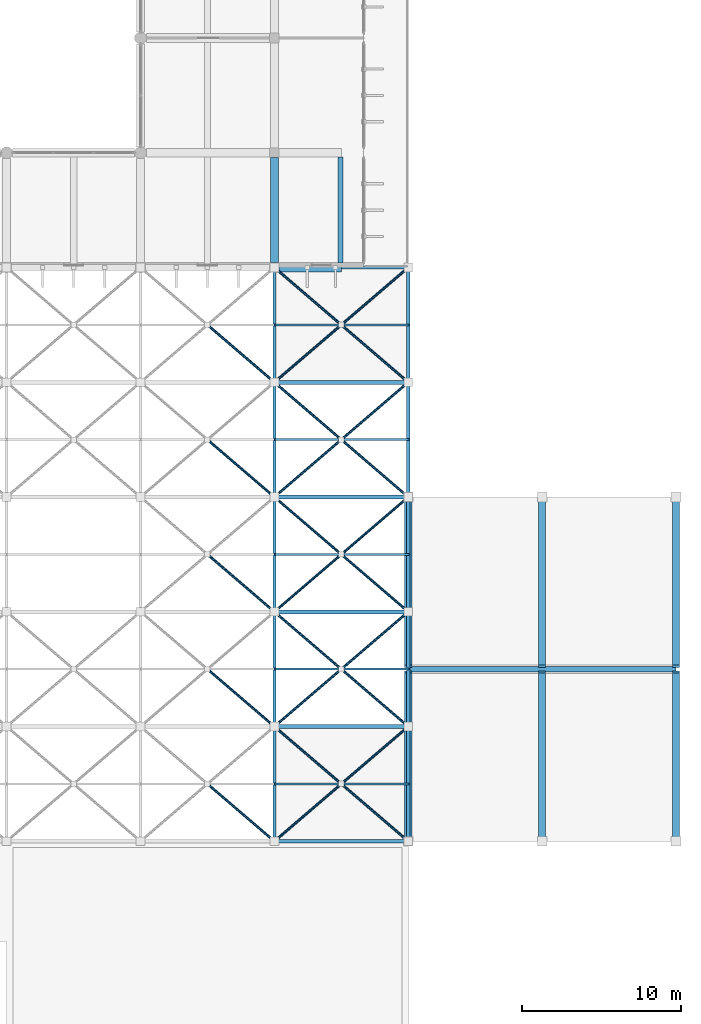
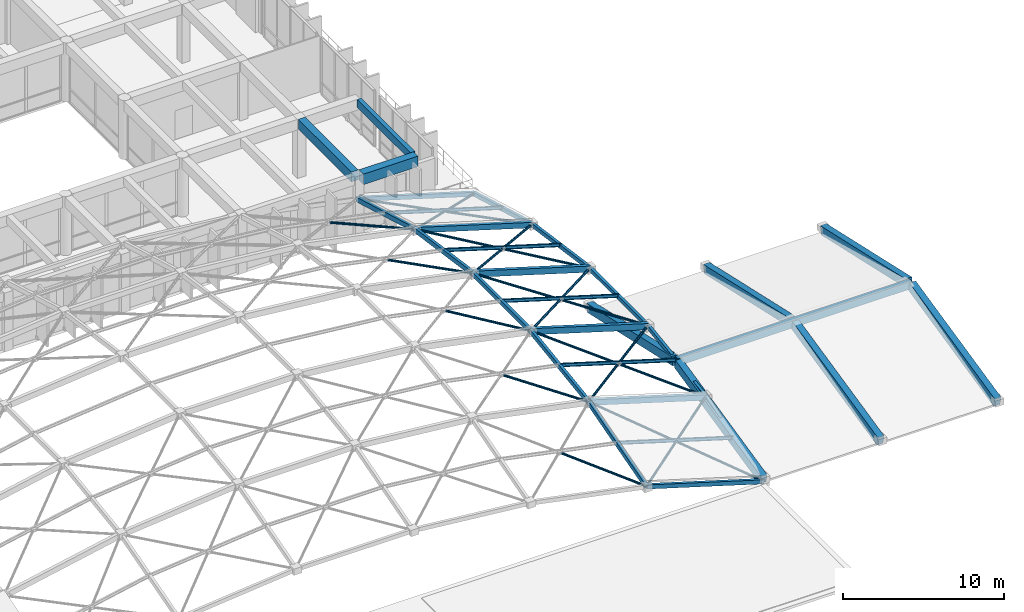
# One storey, part 8 of 23: 41 members, 10 beams.
"""IFC4 building model written with IfcOpenShell, lengths in metres."""

from ifc_helpers import new_model, si_unit, direction, frame, origin, origin_2d, place, context, subcontext, project, spatial, rectangle, hollow_rectangle, hollow_circle, i_section, extrude, material, material_profile, profile_set, type_object, element, save


model = new_model("IFC4")

# Units and contexts
model_context = context("Model", 3, precision=1e-05, world=origin(), true_north=direction((0.0, 1.0)))
body_context = subcontext(model_context, "Body", "Model", "MODEL_VIEW")
ifc_project = project(units=[si_unit("LENGTHUNIT", "METRE"), si_unit("AREAUNIT", "SQUARE_METRE"), si_unit("VOLUMEUNIT", "CUBIC_METRE"), si_unit("PLANEANGLEUNIT", "RADIAN"), si_unit("MASSUNIT", "GRAM", prefix="KILO")], contexts=[model_context])

# Site, building, storey
site_placement = place(None, origin())
site = spatial("IfcSite", under=ifc_project, at=site_placement, CompositionType="ELEMENT")
building_placement = place(site_placement, origin())
building = spatial("IfcBuilding", under=site, at=building_placement, Name="Kenerak Square Central Library", CompositionType="ELEMENT")
storey_placement = place(building_placement, frame((0.0, 0.0, 18.8798828125)))
storey = spatial("IfcBuildingStorey", under=building, at=storey_placement, Name="L04", CompositionType="ELEMENT", Elevation=18.8798828125)

# Beam
ifc_material_1 = material(Name="Concrete C40/50", Category="concrete")
ifc_material_profile_1 = material_profile(ifc_material_1, rectangle(XDim=0.300048828125, YDim=0.60009765625, at=origin_2d()), Name="RC 300x600")
ifc_profile_set_1 = profile_set([ifc_material_profile_1], Name="Concrete C40/50")
beam_type_1 = type_object("IfcBeamType", Name="Courtyard Spandrel Beam SP-02 RC 300x600 C40/50", PredefinedType="SPANDREL", material=ifc_profile_set_1)
beam_1_placement = place(storey_placement, frame((112.949951171875, 53.074951171875, 4.18017578125), z_axis=(0.0, 1.0, 0.0), x_axis=(-1.0, 0.0, 0.0)))
element("IfcBeam", 1, at=beam_1_placement, inside=storey, type_object=beam_type_1, Name="Terrace Edge Spandrel SP-02 L04 SBE-53", PredefinedType="SPANDREL", context=body_context, shape_type="SweptSolid", body=[
    extrude(rectangle(XDim=0.300048828125, YDim=0.60009765625, at=origin_2d()), origin(), (0.0, 0.0, 1.0), 6.650146484375),
])

# Members
ifc_material_2 = material(Name="Steel S355", Category="steel")
ifc_material_profile_2 = material_profile(ifc_material_2, hollow_rectangle(XDim=0.25, YDim=0.449951171875, WallThickness=0.01611328125, at=origin_2d()), Name="RHS 450x250x16.0")
ifc_profile_set_2 = profile_set([ifc_material_profile_2], Name="Steel S355")
member_type_1 = type_object("IfcMemberType", Name="Gridshell Arch Chord GM-01 RHS 450x250x16 S355", PredefinedType="CHORD", material=ifc_profile_set_2)
for number, where, z_axis, x_axis, name in (
    (2, (108.800048828125, 31.199951171875, 5.619140625), (0.956970818539, 0.0, -0.290184169907), (0.0, 1.0, 0.0), "Gridshell Arch Chord 0021"),
    (3, (108.800048828125, 38.39990234375, 5.619140625), (0.956970818539, 0.0, -0.290184169907), (0.0, 1.0, 0.0), "Gridshell Arch Chord 0028"),
):
    element("IfcMember", number, at=place(storey_placement, frame(where, z_axis=z_axis, x_axis=x_axis)), inside=storey, type_object=member_type_1, Name=name, PredefinedType="CHORD", context=body_context, shape_type="SweptSolid", body=[
        extrude(hollow_rectangle(XDim=0.25, YDim=0.449951171875, WallThickness=0.01611328125, at=origin_2d()), origin(), (0.0, 0.0, 1.0), 8.777587890625),
    ])
ifc_material_profile_3 = material_profile(ifc_material_2, hollow_rectangle(XDim=0.25, YDim=0.39990234375, WallThickness=0.012451171875, at=origin_2d()), Name="RHS 400x250x12.5")
ifc_profile_set_3 = profile_set([ifc_material_profile_3], Name="Steel S355")
member_type_2 = type_object("IfcMemberType", Name="Gridshell Arch Rib GM-02 RHS 400x250x12.5 S355", PredefinedType="CHORD", material=ifc_profile_set_3)
for number, where, z_axis, x_axis, name in (
    (4, (108.800048828125, 24.0, 4.594970703125), (0.956978542167, 0.0, -0.290158697666), (0.0, 1.0, 0.0), "Gridshell Arch Chord 0014"),
    (5, (108.800048828125, 45.60009765625, 4.594970703125), (0.956978542167, 0.0, -0.290158697666), (0.0, 1.0, 0.0), "Gridshell Arch Chord 0035"),
):
    element("IfcMember", number, at=place(storey_placement, frame(where, z_axis=z_axis, x_axis=x_axis)), inside=storey, type_object=member_type_2, Name=name, PredefinedType="CHORD", context=body_context, shape_type="SweptSolid", body=[
        extrude(hollow_rectangle(XDim=0.25, YDim=0.39990234375, WallThickness=0.012451171875, at=origin_2d()), origin(), (0.0, 0.0, 1.0), 8.777587890625),
    ])
ifc_material_profile_4 = material_profile(ifc_material_2, hollow_rectangle(XDim=0.199951171875, YDim=0.35009765625, WallThickness=0.012451171875, at=origin_2d()), Name="RHS 350x200x12.5")
ifc_profile_set_4 = profile_set([ifc_material_profile_4], Name="Steel S355")
member_type_3 = type_object("IfcMemberType", Name="Gridshell Cross Rib GM-03 RHS 350x200x12.5 S355", PredefinedType="RAFTER", material=ifc_profile_set_4)
member_1_placement = place(storey_placement, frame((108.800048828125, 16.800048828125, 2.547119140625), z_axis=(0.0, 0.96185064623, 0.273575098185), x_axis=(-1.0, 0.0, 0.0)))
element("IfcMember", 6, at=member_1_placement, inside=storey, type_object=member_type_3, Name="Gridshell Cross Rib 0073", PredefinedType="RAFTER", context=body_context, shape_type="SweptSolid", body=[
    extrude(hollow_rectangle(XDim=0.199951171875, YDim=0.35009765625, WallThickness=0.012451171875, at=origin_2d()), origin(), (0.0, 0.0, 1.0), 7.485595703125),
])
member_2_placement = place(storey_placement, frame((108.800048828125, 24.0, 4.594970703125), z_axis=(0.0, 0.990033914736, 0.140829143546), x_axis=(-1.0, 0.0, 0.0)))
element("IfcMember", 7, at=member_2_placement, inside=storey, type_object=member_type_3, Name="Gridshell Cross Rib 0074", PredefinedType="RAFTER", context=body_context, shape_type="SweptSolid", body=[
    extrude(hollow_rectangle(XDim=0.199951171875, YDim=0.35009765625, WallThickness=0.012451171875, at=origin_2d()), origin(), (0.0, 0.0, 1.0), 7.2724609375),
])
member_3_placement = place(storey_placement, frame((108.800048828125, 31.199951171875, 5.619140625), z_axis=(0.0, 1.0, 0.0), x_axis=(-1.0, 0.0, 0.0)))
element("IfcMember", 8, at=member_3_placement, inside=storey, type_object=member_type_3, Name="Gridshell Cross Rib 0075", PredefinedType="RAFTER", context=body_context, shape_type="SweptSolid", body=[
    extrude(hollow_rectangle(XDim=0.199951171875, YDim=0.35009765625, WallThickness=0.012451171875, at=origin_2d()), origin(), (0.0, 0.0, 1.0), 7.199951171875),
])
member_4_placement = place(storey_placement, frame((108.800048828125, 38.39990234375, 5.619140625), z_axis=(0.0, 0.990034580506, -0.140824463082), x_axis=(-1.0, 0.0, 0.0)))
element("IfcMember", 9, at=member_4_placement, inside=storey, type_object=member_type_3, Name="Gridshell Cross Rib 0076", PredefinedType="RAFTER", context=body_context, shape_type="SweptSolid", body=[
    extrude(hollow_rectangle(XDim=0.199951171875, YDim=0.35009765625, WallThickness=0.012451171875, at=origin_2d()), origin(), (0.0, 0.0, 1.0), 7.272705078125),
])
member_5_placement = place(storey_placement, frame((108.800048828125, 45.60009765625, 4.594970703125), z_axis=(0.0, 0.96185064623, -0.273575098185), x_axis=(-1.0, 0.0, 0.0)))
element("IfcMember", 10, at=member_5_placement, inside=storey, type_object=member_type_3, Name="Gridshell Cross Rib 0077", PredefinedType="RAFTER", context=body_context, shape_type="SweptSolid", body=[
    extrude(hollow_rectangle(XDim=0.199951171875, YDim=0.35009765625, WallThickness=0.012451171875, at=origin_2d()), origin(), (0.0, 0.0, 1.0), 7.485595703125),
])
ifc_material_profile_5 = material_profile(ifc_material_2, hollow_rectangle(XDim=0.199951171875, YDim=0.300048828125, WallThickness=0.010009765625, at=origin_2d()), Name="RHS 300x200x10.0")
ifc_profile_set_5 = profile_set([ifc_material_profile_5], Name="Steel S355")
member_type_4 = type_object("IfcMemberType", Name="Gridshell Edge Rib GM-04 RHS 300x200x10 S355", PredefinedType="RAFTER", material=ifc_profile_set_5)
for number, where, z_axis, x_axis, name in (
    (11, (108.800048828125, 16.800048828125, 2.547119140625), (0.956970818539, 0.0, -0.290184169907), (0.0, 1.0, 0.0), "Gridshell Arch Chord 0007"),
    (12, (108.800048828125, 52.800048828125, 2.547119140625), (0.956970818539, 0.0, -0.290184169907), (0.0, 1.0, 0.0), "Gridshell Arch Chord 0042"),
):
    element("IfcMember", number, at=place(storey_placement, frame(where, z_axis=z_axis, x_axis=x_axis)), inside=storey, type_object=member_type_4, Name=name, PredefinedType="RAFTER", context=body_context, shape_type="SweptSolid", body=[
        extrude(hollow_rectangle(XDim=0.199951171875, YDim=0.300048828125, WallThickness=0.010009765625, at=origin_2d()), origin(), (0.0, 0.0, 1.0), 8.777587890625),
    ])
member_6_placement = place(storey_placement, frame((117.199951171875, 16.800048828125, 0.0), z_axis=(0.0, 0.96184206356, 0.273605271819), x_axis=(-1.0, 0.0, 0.0)))
element("IfcMember", 13, at=member_6_placement, inside=storey, type_object=member_type_4, Name="Gridshell Cross Rib 0078", PredefinedType="RAFTER", context=body_context, shape_type="SweptSolid", body=[
    extrude(hollow_rectangle(XDim=0.199951171875, YDim=0.300048828125, WallThickness=0.010009765625, at=origin_2d()), origin(), (0.0, 0.0, 1.0), 7.485595703125),
])
member_7_placement = place(storey_placement, frame((117.199951171875, 24.0, 2.048095703125), z_axis=(0.0, 0.990038594829, 0.140796238402), x_axis=(-1.0, 0.0, 0.0)))
element("IfcMember", 14, at=member_7_placement, inside=storey, type_object=member_type_4, Name="Gridshell Cross Rib 0079", PredefinedType="RAFTER", context=body_context, shape_type="SweptSolid", body=[
    extrude(hollow_rectangle(XDim=0.199951171875, YDim=0.300048828125, WallThickness=0.010009765625, at=origin_2d()), origin(), (0.0, 0.0, 1.0), 7.2724609375),
])
member_8_placement = place(storey_placement, frame((117.199951171875, 31.199951171875, 3.072021484375), z_axis=(0.0, 1.0, 0.0), x_axis=(-1.0, 0.0, 0.0)))
element("IfcMember", 15, at=member_8_placement, inside=storey, type_object=member_type_4, Name="Gridshell Cross Rib 0080", PredefinedType="RAFTER", context=body_context, shape_type="SweptSolid", body=[
    extrude(hollow_rectangle(XDim=0.199951171875, YDim=0.300048828125, WallThickness=0.010009765625, at=origin_2d()), origin(), (0.0, 0.0, 1.0), 7.199951171875),
])
member_9_placement = place(storey_placement, frame((117.199951171875, 38.39990234375, 3.072021484375), z_axis=(0.0, 0.990039260291, -0.140791558988), x_axis=(-1.0, 0.0, 0.0)))
element("IfcMember", 16, at=member_9_placement, inside=storey, type_object=member_type_4, Name="Gridshell Cross Rib 0081", PredefinedType="RAFTER", context=body_context, shape_type="SweptSolid", body=[
    extrude(hollow_rectangle(XDim=0.199951171875, YDim=0.300048828125, WallThickness=0.010009765625, at=origin_2d()), origin(), (0.0, 0.0, 1.0), 7.272705078125),
])
member_10_placement = place(storey_placement, frame((117.199951171875, 45.60009765625, 2.048095703125), z_axis=(0.0, 0.96184206356, -0.273605271819), x_axis=(-1.0, 0.0, 0.0)))
element("IfcMember", 17, at=member_10_placement, inside=storey, type_object=member_type_4, Name="Gridshell Cross Rib 0082", PredefinedType="RAFTER", context=body_context, shape_type="SweptSolid", body=[
    extrude(hollow_rectangle(XDim=0.199951171875, YDim=0.300048828125, WallThickness=0.010009765625, at=origin_2d()), origin(), (0.0, 0.0, 1.0), 7.485595703125),
])
ifc_material_profile_6 = material_profile(ifc_material_2, hollow_circle(Radius=0.084228515625, WallThickness=0.008056640625, at=origin_2d()), Name="CHS 168.3x8.0")
ifc_profile_set_6 = profile_set([ifc_material_profile_6], Name="Steel S355")
member_type_5 = type_object("IfcMemberType", Name="Gridshell Nodal Brace GB-11 CHS 168.3x8 S355", PredefinedType="BRACE", material=ifc_profile_set_6)
member_11_placement = place(storey_placement, frame((108.800048828125, 16.800048828125, 2.547119140625), z_axis=(-0.719188360993, 0.616392529911, 0.320668599152), x_axis=(-0.650758120394, -0.759285103726, 0.0)))
element("IfcMember", 18, at=member_11_placement, inside=storey, type_object=member_type_5, Name="Gridshell Split Brace Seg 1 0175", PredefinedType="BRACE", context=body_context, shape_type="SweptSolid", body=[
    extrude(hollow_circle(Radius=0.084228515625, WallThickness=0.008056640625, at=origin_2d()), origin(), (0.0, 0.0, 1.0), 5.7451171875),
])
member_12_placement = place(storey_placement, frame((108.800048828125, 24.0, 4.594970703125), z_axis=(-0.737274877107, 0.631937442694, 0.238915935231), x_axis=(-0.650783981153, -0.759262938563, 0.0)))
element("IfcMember", 19, at=member_12_placement, inside=storey, type_object=member_type_5, Name="Gridshell Split Brace Seg 1 0179", PredefinedType="BRACE", context=body_context, shape_type="SweptSolid", body=[
    extrude(hollow_circle(Radius=0.084228515625, WallThickness=0.008056640625, at=origin_2d()), origin(), (0.0, 0.0, 1.0), 5.601806640625),
])
member_13_placement = place(storey_placement, frame((108.800048828125, 31.199951171875, 5.619140625), z_axis=(-0.750453027281, 0.643283489058, 0.151679288466), x_axis=(-0.650813557123, -0.759237587231, 0.0)))
element("IfcMember", 20, at=member_13_placement, inside=storey, type_object=member_type_5, Name="Gridshell Split Brace Seg 1 0183", PredefinedType="BRACE", context=body_context, shape_type="SweptSolid", body=[
    extrude(hollow_circle(Radius=0.084228515625, WallThickness=0.008056640625, at=origin_2d()), origin(), (0.0, 0.0, 1.0), 5.50146484375),
])
member_14_placement = place(storey_placement, frame((108.800048828125, 38.39990234375, 5.619140625), z_axis=(-0.757843475813, 0.649599331379, 0.060778078614), x_axis=(-0.650802467466, -0.759247093073, 0.0)))
element("IfcMember", 21, at=member_14_placement, inside=storey, type_object=member_type_5, Name="Gridshell Split Brace Seg 1 0187", PredefinedType="BRACE", context=body_context, shape_type="SweptSolid", body=[
    extrude(hollow_circle(Radius=0.084228515625, WallThickness=0.008056640625, at=origin_2d()), origin(), (0.0, 0.0, 1.0), 5.447021484375),
])
member_15_placement = place(storey_placement, frame((108.800048828125, 45.60009765625, 4.594970703125), z_axis=(-0.758890147353, 0.650451621448, -0.031597981058), x_axis=(-0.650776580794, -0.75926928154, 0.0)))
element("IfcMember", 22, at=member_15_placement, inside=storey, type_object=member_type_5, Name="Gridshell Split Brace Seg 1 0191", PredefinedType="BRACE", context=body_context, shape_type="SweptSolid", body=[
    extrude(hollow_circle(Radius=0.084228515625, WallThickness=0.008056640625, at=origin_2d()), origin(), (0.0, 0.0, 1.0), 5.439453125),
])
member_16_placement = place(storey_placement, frame((108.800048828125, 16.800048828125, 2.547119140625), z_axis=(0.758483849316, 0.650132163, -0.045060192641), x_axis=(-0.650793190779, 0.759255044656, 0.0)))
element("IfcMember", 23, at=member_16_placement, inside=storey, type_object=member_type_5, Name="Gridshell Diagonal Brace 0194", PredefinedType="BRACE", context=body_context, shape_type="SweptSolid", body=[
    extrude(hollow_circle(Radius=0.084228515625, WallThickness=0.008056640625, at=origin_2d()), origin(), (0.0, 0.0, 1.0), 11.07470703125),
])
member_17_placement = place(storey_placement, frame((117.199951171875, 16.800048828125, 0.0), z_axis=(-0.701164334696, 0.601021667165, 0.383590317068), x_axis=(-0.650806146155, -0.759243939802, 0.0)))
element("IfcMember", 24, at=member_17_placement, inside=storey, type_object=member_type_5, Name="Gridshell Split Brace Seg 1 0195", PredefinedType="BRACE", context=body_context, shape_type="SweptSolid", body=[
    extrude(hollow_circle(Radius=0.084228515625, WallThickness=0.008056640625, at=origin_2d()), origin(), (0.0, 0.0, 1.0), 5.89501953125),
])
member_18_placement = place(storey_placement, frame((112.933349609375, 20.45703125, 2.333984375), z_axis=(-0.701175473466, 0.601031215058, 0.38355499467), x_axis=(-0.650806146155, -0.759243939802, 0.0)))
element("IfcMember", 25, at=member_18_placement, inside=storey, type_object=member_type_5, Name="Gridshell Split Brace Seg 2 0196", PredefinedType="BRACE", context=body_context, shape_type="SweptSolid", body=[
    extrude(hollow_circle(Radius=0.084228515625, WallThickness=0.008056640625, at=origin_2d()), origin(), (0.0, 0.0, 1.0), 5.894775390625),
])
member_19_placement = place(storey_placement, frame((108.800048828125, 24.0, 4.594970703125), z_axis=(0.752161943462, 0.644713360304, -0.136371162103), x_axis=(-0.650793190779, 0.759255044656, 0.0)))
element("IfcMember", 26, at=member_19_placement, inside=storey, type_object=member_type_5, Name="Gridshell Diagonal Brace 0198", PredefinedType="BRACE", context=body_context, shape_type="SweptSolid", body=[
    extrude(hollow_circle(Radius=0.084228515625, WallThickness=0.008056640625, at=origin_2d()), origin(), (0.0, 0.0, 1.0), 11.167724609375),
])
for number, where, z_axis, x_axis, name in (
    (27, (117.199951171875, 24.0, 2.048095703125), (-0.722540654317, 0.619338860115, 0.307171579432), (-0.650802458288, -0.759247100941, 0.0), "Gridshell Split Brace Seg 1 0199"),
    (28, (112.931396484375, 27.65869140625, 3.86279296875), (-0.722540654317, 0.619338860115, 0.307171579432), (-0.650802458288, -0.759247100941, 0.0), "Gridshell Split Brace Seg 2 0200"),
):
    element("IfcMember", number, at=place(storey_placement, frame(where, z_axis=z_axis, x_axis=x_axis)), inside=storey, type_object=member_type_5, Name=name, PredefinedType="BRACE", context=body_context, shape_type="SweptSolid", body=[
        extrude(hollow_circle(Radius=0.084228515625, WallThickness=0.008056640625, at=origin_2d()), origin(), (0.0, 0.0, 1.0), 5.7177734375),
    ])
member_20_placement = place(storey_placement, frame((108.800048828125, 31.199951171875, 5.619140625), z_axis=(0.739898681767, 0.634201942219, -0.224360952941), x_axis=(-0.650793190779, 0.759255044656, 0.0)))
element("IfcMember", 29, at=member_20_placement, inside=storey, type_object=member_type_5, Name="Gridshell Diagonal Brace 0202", PredefinedType="BRACE", context=body_context, shape_type="SweptSolid", body=[
    extrude(hollow_circle(Radius=0.084228515625, WallThickness=0.008056640625, at=origin_2d()), origin(), (0.0, 0.0, 1.0), 11.352783203125),
])
for number, where, z_axis, x_axis, name in (
    (30, (117.199951171875, 31.199951171875, 3.072021484375), (-0.739892555068, 0.634212365115, 0.224351694646), (-0.650802462875, -0.759247097009, 0.0), "Gridshell Split Brace Seg 1 0203"),
    (31, (112.9296875, 34.860107421875, 4.366943359375), (-0.739892555068, 0.634212365115, 0.224351694646), (-0.650802462875, -0.759247097009, 0.0), "Gridshell Split Brace Seg 2 0204"),
):
    element("IfcMember", number, at=place(storey_placement, frame(where, z_axis=z_axis, x_axis=x_axis)), inside=storey, type_object=member_type_5, Name=name, PredefinedType="BRACE", context=body_context, shape_type="SweptSolid", body=[
        extrude(hollow_circle(Radius=0.084228515625, WallThickness=0.008056640625, at=origin_2d()), origin(), (0.0, 0.0, 1.0), 5.581298828125),
    ])
member_21_placement = place(storey_placement, frame((108.800048828125, 38.39990234375, 5.619140625), z_axis=(0.722537736713, 0.61934206043, -0.307171989621), x_axis=(-0.650805911728, 0.759244140748, 0.0)))
element("IfcMember", 32, at=member_21_placement, inside=storey, type_object=member_type_5, Name="Gridshell Diagonal Brace 0206", PredefinedType="BRACE", context=body_context, shape_type="SweptSolid", body=[
    extrude(hollow_circle(Radius=0.084228515625, WallThickness=0.008056640625, at=origin_2d()), origin(), (0.0, 0.0, 1.0), 11.62548828125),
])
for number, where, z_axis, x_axis, name in (
    (33, (117.199951171875, 38.39990234375, 3.072021484375), (-0.752147491956, 0.644729621283, 0.136373992332), (-0.650809861054, -0.759240755462, 0.0), "Gridshell Split Brace Seg 1 0207"),
    (34, (112.928466796875, 42.061279296875, 3.8466796875), (-0.75215205366, 0.644733531508, 0.136330339708), (-0.650809861054, -0.759240755462, 0.0), "Gridshell Split Brace Seg 2 0208"),
):
    element("IfcMember", number, at=place(storey_placement, frame(where, z_axis=z_axis, x_axis=x_axis)), inside=storey, type_object=member_type_5, Name=name, PredefinedType="BRACE", context=body_context, shape_type="SweptSolid", body=[
        extrude(hollow_circle(Radius=0.084228515625, WallThickness=0.008056640625, at=origin_2d()), origin(), (0.0, 0.0, 1.0), 5.48876953125),
    ])
member_22_placement = place(storey_placement, frame((108.800048828125, 45.60009765625, 4.594970703125), z_axis=(0.701182418894, 0.601016413289, -0.383565491659), x_axis=(-0.650793190779, 0.759255044656, 0.0)))
element("IfcMember", 35, at=member_22_placement, inside=storey, type_object=member_type_5, Name="Gridshell Diagonal Brace 0210", PredefinedType="BRACE", context=body_context, shape_type="SweptSolid", body=[
    extrude(hollow_circle(Radius=0.084228515625, WallThickness=0.008056640625, at=origin_2d()), origin(), (0.0, 0.0, 1.0), 11.979736328125),
])
member_23_placement = place(storey_placement, frame((117.199951171875, 45.60009765625, 2.048095703125), z_axis=(-0.758498770329, 0.650116168655, 0.045039789769), x_axis=(-0.650776580794, -0.75926928154, 0.0)))
element("IfcMember", 36, at=member_23_placement, inside=storey, type_object=member_type_5, Name="Gridshell Split Brace Seg 1 0211", PredefinedType="BRACE", context=body_context, shape_type="SweptSolid", body=[
    extrude(hollow_circle(Radius=0.084228515625, WallThickness=0.008056640625, at=origin_2d()), origin(), (0.0, 0.0, 1.0), 5.442138671875),
])
member_24_placement = place(storey_placement, frame((112.927978515625, 49.26171875, 2.302001953125), z_axis=(-0.758476649344, 0.650142067598, 0.045038476221), x_axis=(-0.650802467466, -0.759247093073, 0.0)))
element("IfcMember", 37, at=member_24_placement, inside=storey, type_object=member_type_5, Name="Gridshell Split Brace Seg 2 0212", PredefinedType="BRACE", context=body_context, shape_type="SweptSolid", body=[
    extrude(hollow_circle(Radius=0.084228515625, WallThickness=0.008056640625, at=origin_2d()), origin(), (0.0, 0.0, 1.0), 5.4423828125),
])

# Beams
ifc_material_profile_7 = material_profile(ifc_material_1, rectangle(XDim=0.449951171875, YDim=0.64990234375, at=origin_2d()), Name="RC 450x650")
ifc_profile_set_7 = profile_set([ifc_material_profile_7], Name="Concrete C40/50")
beam_type_2 = type_object("IfcBeamType", Name="Mezzanine Frame Beam B-06 RC 450x650 C40/50", PredefinedType="BEAM", material=ifc_profile_set_7)
for number, where, z_axis, x_axis, name in (
    (38, (117.199951171875, 16.800048828125, 0.14013671875), (0.0, 0.975820589119, 0.218573049235), (-1.0, 0.0, 0.0), "Gable Concrete Beam B-06 E-117-16"),
    (39, (117.199951171875, 38.39990234375, 0.14013671875), (0.0, -0.975820589119, 0.218573049235), (1.0, 0.0, 0.0), "Gable Concrete Beam B-06 E-117-38"),
    (40, (125.60009765625, 16.800048828125, 0.14013671875), (0.0, 0.975820589119, 0.218573049235), (-1.0, 0.0, 0.0), "Gable Concrete Beam B-06 E-125-16"),
    (41, (125.60009765625, 38.39990234375, 0.14013671875), (0.0, -0.975820589119, 0.218573049235), (1.0, 0.0, 0.0), "Gable Concrete Beam B-06 E-125-38"),
    (42, (134.0, 16.800048828125, 0.14013671875), (0.0, 0.975820589119, 0.218573049235), (-1.0, 0.0, 0.0), "Gable Concrete Beam B-06 E-134-16"),
    (43, (134.0, 38.39990234375, 0.14013671875), (0.0, -0.975820589119, 0.218573049235), (1.0, 0.0, 0.0), "Gable Concrete Beam B-06 E-134-38"),
):
    element("IfcBeam", number, at=place(storey_placement, frame(where, z_axis=z_axis, x_axis=x_axis)), inside=storey, type_object=beam_type_2, Name=name, PredefinedType="BEAM", context=body_context, shape_type="SweptSolid", body=[
        extrude(rectangle(XDim=0.449951171875, YDim=0.64990234375, at=origin_2d()), origin(), (0.0, 0.0, 1.0), 10.88818359375),
    ])
ifc_material_profile_8 = material_profile(ifc_material_1, rectangle(XDim=0.550048828125, YDim=0.800048828125, at=origin_2d()), Name="RC 550x800")
ifc_profile_set_8 = profile_set([ifc_material_profile_8], Name="Concrete C40/50")
beam_type_3 = type_object("IfcBeamType", Name="Primary Reading Beam B-04 RC 550x800 C40/50", PredefinedType="BEAM", material=ifc_profile_set_8)
beam_2_placement = place(storey_placement, frame((109.10009765625, 52.800048828125, 4.080078125), z_axis=(1.0, 0.0, 0.0), x_axis=(0.0, 1.0, 0.0)))
element("IfcBeam", 44, at=beam_2_placement, inside=storey, type_object=beam_type_3, Name="Terrace Cantilever Bracket B-04 L04 SBE-H", PredefinedType="BEAM", context=body_context, shape_type="SweptSolid", body=[
    extrude(rectangle(XDim=0.550048828125, YDim=0.800048828125, at=origin_2d()), origin(), (0.0, 0.0, 1.0), 3.89990234375),
])
ifc_material_profile_9 = material_profile(ifc_material_1, rectangle(XDim=0.35009765625, YDim=0.550048828125, at=origin_2d()), Name="RC 350x550")
ifc_profile_set_9 = profile_set([ifc_material_profile_9], Name="Concrete C40/50")
beam_type_4 = type_object("IfcBeamType", Name="Roof Edge Beam B-07 RC 350x550 C40/50", PredefinedType="BEAM", material=ifc_profile_set_9)
beam_3_placement = place(storey_placement, frame((117.199951171875, 27.60009765625, 2.570068359375), z_axis=(1.0, 0.0, 0.0), x_axis=(0.0, 1.0, 0.0)))
element("IfcBeam", 45, at=beam_3_placement, inside=storey, type_object=beam_type_4, Name="Gable Ridge Concrete Beam B-07 E", PredefinedType="BEAM", context=body_context, shape_type="SweptSolid", body=[
    extrude(rectangle(XDim=0.35009765625, YDim=0.550048828125, at=origin_2d()), origin(), (0.0, 0.0, 1.0), 16.800048828125),
])

# Members
ifc_material_profile_10 = material_profile(ifc_material_2, i_section(OverallWidth=0.1201171875, OverallDepth=0.239990234375, WebThickness=0.006103515625, FlangeThickness=0.009765625, FilletRadius=0.014892578125, at=origin_2d()), Name="IPE 240")
ifc_profile_set_10 = profile_set([ifc_material_profile_10], Name="Steel S355")
member_type_6 = type_object("IfcMemberType", Name="Roof Steel Purlin PR-01 IPE 240 S355", PredefinedType="PURLIN", material=ifc_profile_set_10)
for number, where, z_axis, x_axis, name in (
    (46, (108.800048828125, 20.39990234375, 3.666015625), (0.956978542167, 0.0, -0.290158697666), (0.0, 1.0, 0.0), "Gridshell Purlin PR-01 0197"),
    (47, (108.800048828125, 27.60009765625, 5.2021484375), (0.956970818539, 0.0, -0.290184169907), (0.0, 1.0, 0.0), "Gridshell Purlin PR-01 0201"),
    (48, (108.800048828125, 34.800048828125, 5.714111328125), (0.956978542167, 0.0, -0.290158697666), (0.0, 1.0, 0.0), "Gridshell Purlin PR-01 0205"),
    (49, (108.800048828125, 42.0, 5.2021484375), (0.956970818539, 0.0, -0.290184169907), (0.0, 1.0, 0.0), "Gridshell Purlin PR-01 0209"),
    (50, (108.800048828125, 49.199951171875, 3.666015625), (0.956978542167, 0.0, -0.290158697666), (0.0, 1.0, 0.0), "Gridshell Purlin PR-01 0213"),
):
    element("IfcMember", number, at=place(storey_placement, frame(where, z_axis=z_axis, x_axis=x_axis)), inside=storey, type_object=member_type_6, Name=name, PredefinedType="PURLIN", context=body_context, shape_type="SweptSolid", body=[
        extrude(i_section(OverallWidth=0.1201171875, OverallDepth=0.239990234375, WebThickness=0.006103515625, FlangeThickness=0.009765625, FilletRadius=0.014892578125, at=origin_2d()), origin(), (0.0, 0.0, 1.0), 8.777587890625),
    ])

# Beam
ifc_material_profile_11 = material_profile(ifc_material_1, rectangle(XDim=0.5, YDim=0.75, at=origin_2d()), Name="RC 500x750")
ifc_profile_set_11 = profile_set([ifc_material_profile_11], Name="Concrete C40/50")
beam_type_5 = type_object("IfcBeamType", Name="Transverse Frame Beam B-05 RC 500x750 C40/50", PredefinedType="BEAM", material=ifc_profile_set_11)
beam_4_placement = place(storey_placement, frame((108.800048828125, 53.10009765625, 4.105224609375), z_axis=(0.0, 1.0, 0.0), x_axis=(-1.0, 0.0, 0.0)))
element("IfcBeam", 51, at=beam_4_placement, inside=storey, type_object=beam_type_5, Name="Beam B-05 L04 1608", PredefinedType="BEAM", context=body_context, shape_type="SweptSolid", body=[
    extrude(rectangle(XDim=0.5, YDim=0.75, at=origin_2d()), origin(), (0.0, 0.0, 1.0), 6.599853515625),
])

save(model, "model.ifc")
